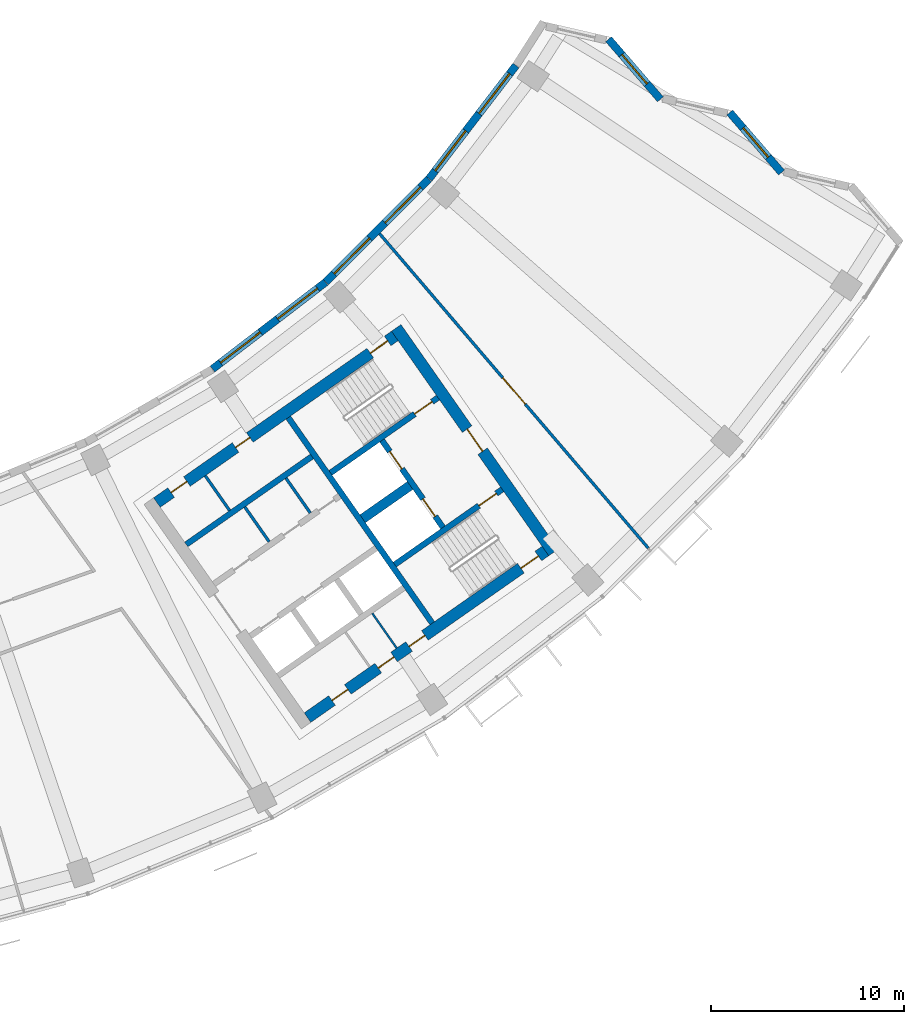
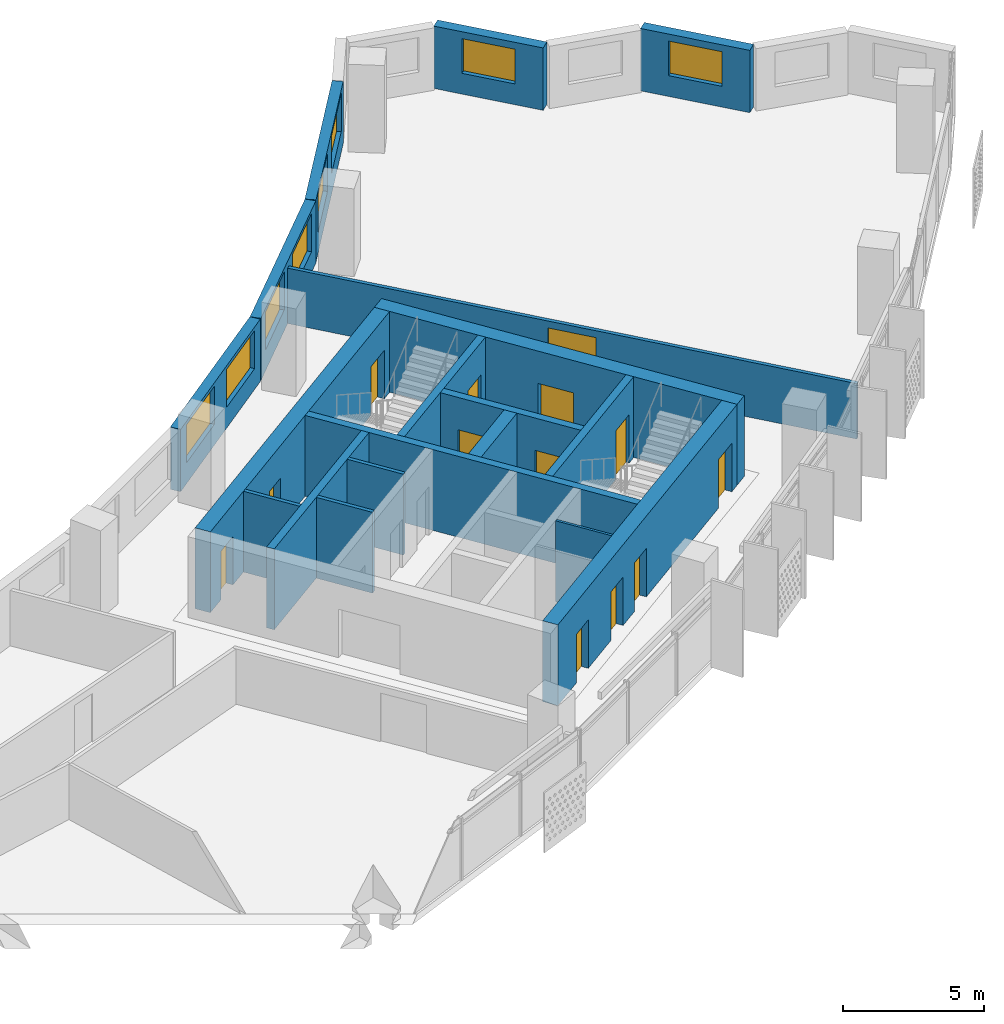
# One storey, part 7 of 27: 19 walls, 13 doors, 8 windows, 21 openings.
"""IFC4 building model written with IfcOpenShell, lengths in metres."""

from ifc_helpers import new_model, si_unit, direction, frame, frame_2d, origin, place, context, subcontext, project, spatial, rectangle, extrude, material, layer, layer_set, type_object, element, fill, save


model = new_model("IFC4")

# Units and contexts
model_context = context("Model", 3, precision=1e-05, world=origin(), true_north=direction((0.0, 1.0)))
body_context = subcontext(model_context, "Body", "Model", "MODEL_VIEW")
ifc_project = project(units=[si_unit("LENGTHUNIT", "METRE"), si_unit("AREAUNIT", "SQUARE_METRE"), si_unit("VOLUMEUNIT", "CUBIC_METRE"), si_unit("PLANEANGLEUNIT", "RADIAN"), si_unit("MASSUNIT", "GRAM", prefix="KILO")], contexts=[model_context])

# Site, building, storey
site_placement = place(None, origin())
site = spatial("IfcSite", under=ifc_project, at=site_placement, CompositionType="ELEMENT")
building_placement = place(site_placement, origin())
building = spatial("IfcBuilding", under=site, at=building_placement, Name="Qamariyya Broadcast Tower", CompositionType="ELEMENT")
storey_placement = place(building_placement, frame((0.0, 0.0, 191.10009765625)))
storey = spatial("IfcBuildingStorey", under=building, at=storey_placement, Name="L45", CompositionType="ELEMENT", Elevation=191.10009765625)

# Wall, opening, door
ifc_material_1 = material(Name="Concrete C60/75", Category="concrete")
ifc_layer_1 = layer(ifc_material_1, 0.60009765625)
ifc_layer_set_1 = layer_set([ifc_layer_1], Name="Core wall 600 mm Concrete C60/75")
wall_type_1 = type_object("IfcWallType", Name="Core wall 600 mm Concrete C60/75", PredefinedType="SHEAR", material=ifc_layer_set_1)
wall_1_placement = place(storey_placement, frame((49.4833984375, -57.031494140625, 0.0), z_axis=(0.0, 0.0, 1.0), x_axis=(-0.573560421458, 0.819163257805, 0.0)))
wall_1 = element("IfcWall", 1, at=wall_1_placement, inside=storey, type_object=wall_type_1, Name="k-E-L45-WH", PredefinedType="SHEAR", context=body_context, shape_type="SweptSolid", body=[
    extrude(rectangle(XDim=14.199951171875, YDim=0.60009765625, at=frame_2d((7.10009765625, 0.0))), origin(), (0.0, 0.0, 1.0), 3.5),
])
opening_1_placement = place(wall_1_placement, frame((6.39990234375, 0.0, 0.0)))
opening_1 = element("IfcOpeningElement", 2, at=opening_1_placement, cuts=wall_1, Name="Opening KD2-E1", PredefinedType="OPENING", context=body_context, shape_type="SweptSolid", body=[
    extrude(rectangle(XDim=1.39990234375, YDim=2.10009765625, at=frame_2d((0.699951171875, 1.050048828125))), frame((0.0, 0.31005859375, 0.0), z_axis=(0.0, -1.0, 0.0), x_axis=(1.0, 0.0, 0.0)), (0.0, 0.0, 1.0), 0.6201171875),
])
ifc_material_2 = material(Name="Steel fire-resisting door leaf", Category="steel")
door_type_1 = type_object("IfcDoorType", Name="Fire-fighting lobby door KD2", OperationType="DOUBLE_DOOR_SINGLE_SWING", PredefinedType="DOOR", material=ifc_material_2)
door_1_placement = place(opening_1_placement, origin())
door_1 = element("IfcDoor", 3, at=door_1_placement, inside=storey, type_object=door_type_1, Name="k-E-L45-WH-D14", OperationType="DOUBLE_DOOR_SINGLE_SWING", OverallHeight=2.10009765625, OverallWidth=1.39990234375, PredefinedType="DOOR", context=body_context, shape_type="SweptSolid", body=[
    extrude(rectangle(XDim=1.39990234375, YDim=2.10009765625, at=frame_2d((0.699951171875, 1.050048828125))), frame((0.0, 0.02490234375, 0.0), z_axis=(0.0, -1.0, 0.0), x_axis=(1.0, 0.0, 0.0)), (0.0, 0.0, 1.0), 0.050048828125),
])
fill(opening_1, door_1)

# Wall, openings, doors
wall_2_placement = place(storey_placement, frame((28.940673828125, -54.447021484375, 0.0), z_axis=(0.0, 0.0, 1.0), x_axis=(0.819153391756, 0.573574511963, 0.0)))
wall_2 = element("IfcWall", 4, at=wall_2_placement, inside=storey, type_object=wall_type_1, Name="k-E-L45-WI", PredefinedType="SHEAR", context=body_context, shape_type="SweptSolid", body=[
    extrude(rectangle(XDim=15.04541015625, YDim=0.60009765625, at=frame_2d((7.522705078125, 0.0))), origin(), (0.0, 0.0, 1.0), 3.5),
])
opening_2_placement = place(wall_2_placement, frame((0.89990234375, 0.0, 0.0)))
opening_2 = element("IfcOpeningElement", 5, at=opening_2_placement, cuts=wall_2, Name="Opening KD7-E1", PredefinedType="OPENING", context=body_context, shape_type="SweptSolid", body=[
    extrude(rectangle(XDim=1.0, YDim=2.10009765625, at=frame_2d((0.5, 1.050048828125))), frame((0.0, 0.31005859375, 0.0), z_axis=(0.0, -1.0, 0.0), x_axis=(1.0, 0.0, 0.0)), (0.0, 0.0, 1.0), 0.6201171875),
])
opening_3_placement = place(wall_2_placement, frame((4.97509765625, 0.0, 0.0)))
opening_3 = element("IfcOpeningElement", 6, at=opening_3_placement, cuts=wall_2, Name="Opening KD5-E1", PredefinedType="OPENING", context=body_context, shape_type="SweptSolid", body=[
    extrude(rectangle(XDim=0.89990234375, YDim=2.10009765625, at=frame_2d((0.449951171875, 1.050048828125))), frame((0.0, 0.31005859375, 0.0), z_axis=(0.0, -1.0, 0.0), x_axis=(1.0, 0.0, 0.0)), (0.0, 0.0, 1.0), 0.6201171875),
])
opening_4_placement = place(wall_2_placement, frame((13.495361328125, 0.0, 0.0)))
opening_4 = element("IfcOpeningElement", 7, at=opening_4_placement, cuts=wall_2, Name="Opening KD1-E1", PredefinedType="OPENING", context=body_context, shape_type="SweptSolid", body=[
    extrude(rectangle(XDim=1.10009765625, YDim=2.10009765625, at=frame_2d((0.550048828125, 1.050048828125))), frame((0.0, 0.31005859375, 0.0), z_axis=(0.0, -1.0, 0.0), x_axis=(1.0, 0.0, 0.0)), (0.0, 0.0, 1.0), 0.6201171875),
])
door_type_2 = type_object("IfcDoorType", Name="Accessible toilet door KD7", OperationType="SINGLE_SWING_LEFT", PredefinedType="DOOR", material=ifc_material_2)
door_2_placement = place(opening_2_placement, origin())
door_2 = element("IfcDoor", 8, at=door_2_placement, inside=storey, type_object=door_type_2, Name="k-E-L45-WI-D7", OperationType="SINGLE_SWING_LEFT", OverallHeight=2.10009765625, OverallWidth=1.0, PredefinedType="DOOR", context=body_context, shape_type="SweptSolid", body=[
    extrude(rectangle(XDim=1.0, YDim=2.10009765625, at=frame_2d((0.5, 1.050048828125))), frame((0.0, 0.02490234375, 0.0), z_axis=(0.0, -1.0, 0.0), x_axis=(1.0, 0.0, 0.0)), (0.0, 0.0, 1.0), 0.050048828125),
])
fill(opening_2, door_2)
door_type_3 = type_object("IfcDoorType", Name="Stair door KD1", OperationType="SINGLE_SWING_LEFT", PredefinedType="DOOR", material=ifc_material_2)
door_3_placement = place(opening_4_placement, origin())
door_3 = element("IfcDoor", 9, at=door_3_placement, inside=storey, type_object=door_type_3, Name="k-E-L45-WI-D15", OperationType="SINGLE_SWING_RIGHT", OverallHeight=2.10009765625, OverallWidth=1.10009765625, PredefinedType="DOOR", context=body_context, shape_type="SweptSolid", body=[
    extrude(rectangle(XDim=1.10009765625, YDim=2.10009765625, at=frame_2d((0.550048828125, 1.050048828125))), frame((0.0, 0.02490234375, 0.0), z_axis=(0.0, -1.0, 0.0), x_axis=(1.0, 0.0, 0.0)), (0.0, 0.0, 1.0), 0.050048828125),
])
fill(opening_4, door_3)
door_type_4 = type_object("IfcDoorType", Name="Toilet door KD5", OperationType="SINGLE_SWING_LEFT", PredefinedType="DOOR", material=ifc_material_2)
door_4_placement = place(opening_3_placement, origin())
door_4 = element("IfcDoor", 10, at=door_4_placement, inside=storey, type_object=door_type_4, Name="k-E-L45-WI-D8", OperationType="SINGLE_SWING_RIGHT", OverallHeight=2.10009765625, OverallWidth=0.89990234375, PredefinedType="DOOR", context=body_context, shape_type="SweptSolid", body=[
    extrude(rectangle(XDim=0.89990234375, YDim=2.10009765625, at=frame_2d((0.449951171875, 1.050048828125))), frame((0.0, 0.02490234375, 0.0), z_axis=(0.0, -1.0, 0.0), x_axis=(1.0, 0.0, 0.0)), (0.0, 0.0, 1.0), 0.050048828125),
])
fill(opening_3, door_4)

wall_3_placement = place(storey_placement, frame((36.7412109375, -65.58740234375, 0.0), z_axis=(0.0, 0.0, 1.0), x_axis=(0.819153391756, 0.573574511963, 0.0)))
wall_3 = element("IfcWall", 11, at=wall_3_placement, inside=storey, type_object=wall_type_1, Name="k-E-L45-WO", PredefinedType="SHEAR", context=body_context, shape_type="SweptSolid", body=[
    extrude(rectangle(XDim=15.04541015625, YDim=0.60009765625, at=frame_2d((7.522705078125, 0.0))), origin(), (0.0, 0.0, 1.0), 3.5),
])
opening_5_placement = place(wall_3_placement, frame((1.550048828125, 0.0, 0.0)))
opening_5 = element("IfcOpeningElement", 12, at=opening_5_placement, cuts=wall_3, Name="Opening KD4-E2", PredefinedType="OPENING", context=body_context, shape_type="SweptSolid", body=[
    extrude(rectangle(XDim=1.0, YDim=2.10009765625, at=frame_2d((0.5, 1.050048828125))), frame((0.0, 0.31005859375, 0.0), z_axis=(0.0, -1.0, 0.0), x_axis=(1.0, 0.0, 0.0)), (0.0, 0.0, 1.0), 0.6201171875),
])
opening_6_placement = place(wall_3_placement, frame((4.47509765625, 0.0, 0.0)))
opening_6 = element("IfcOpeningElement", 13, at=opening_6_placement, cuts=wall_3, Name="Opening KD4-E3", PredefinedType="OPENING", context=body_context, shape_type="SweptSolid", body=[
    extrude(rectangle(XDim=1.0, YDim=2.10009765625, at=frame_2d((0.5, 1.050048828125))), frame((0.0, 0.31005859375, 0.0), z_axis=(0.0, -1.0, 0.0), x_axis=(1.0, 0.0, 0.0)), (0.0, 0.0, 1.0), 0.6201171875),
])
opening_7_placement = place(wall_3_placement, frame((6.425048828125, 0.0, 0.0)))
opening_7 = element("IfcOpeningElement", 14, at=opening_7_placement, cuts=wall_3, Name="Opening KD4-E4", PredefinedType="OPENING", context=body_context, shape_type="SweptSolid", body=[
    extrude(rectangle(XDim=1.0, YDim=2.10009765625, at=frame_2d((0.5, 1.050048828125))), frame((0.0, 0.31005859375, 0.0), z_axis=(0.0, -1.0, 0.0), x_axis=(1.0, 0.0, 0.0)), (0.0, 0.0, 1.0), 0.6201171875),
])
opening_8_placement = place(wall_3_placement, frame((13.495361328125, 0.0, 0.0)))
opening_8 = element("IfcOpeningElement", 15, at=opening_8_placement, cuts=wall_3, Name="Opening KD1-E3", PredefinedType="OPENING", context=body_context, shape_type="SweptSolid", body=[
    extrude(rectangle(XDim=1.10009765625, YDim=2.10009765625, at=frame_2d((0.550048828125, 1.050048828125))), frame((0.0, 0.31005859375, 0.0), z_axis=(0.0, -1.0, 0.0), x_axis=(1.0, 0.0, 0.0)), (0.0, 0.0, 1.0), 0.6201171875),
])
door_type_5 = type_object("IfcDoorType", Name="Riser and plant door KD4", OperationType="SINGLE_SWING_LEFT", PredefinedType="DOOR", material=ifc_material_2)
door_5_placement = place(opening_5_placement, origin())
door_5 = element("IfcDoor", 16, at=door_5_placement, inside=storey, type_object=door_type_5, Name="k-E-L45-WO-D9", OperationType="SINGLE_SWING_LEFT", OverallHeight=2.10009765625, OverallWidth=1.0, PredefinedType="DOOR", context=body_context, shape_type="SweptSolid", body=[
    extrude(rectangle(XDim=1.0, YDim=2.10009765625, at=frame_2d((0.5, 1.050048828125))), frame((0.0, 0.02490234375, 0.0), z_axis=(0.0, -1.0, 0.0), x_axis=(1.0, 0.0, 0.0)), (0.0, 0.0, 1.0), 0.050048828125),
])
fill(opening_5, door_5)
door_6_placement = place(opening_6_placement, origin())
door_6 = element("IfcDoor", 17, at=door_6_placement, inside=storey, type_object=door_type_5, Name="k-E-L45-WO-D10", OperationType="SINGLE_SWING_RIGHT", OverallHeight=2.10009765625, OverallWidth=1.0, PredefinedType="DOOR", context=body_context, shape_type="SweptSolid", body=[
    extrude(rectangle(XDim=1.0, YDim=2.10009765625, at=frame_2d((0.5, 1.050048828125))), frame((0.0, 0.02490234375, 0.0), z_axis=(0.0, -1.0, 0.0), x_axis=(1.0, 0.0, 0.0)), (0.0, 0.0, 1.0), 0.050048828125),
])
fill(opening_6, door_6)
door_7_placement = place(opening_7_placement, origin())
door_7 = element("IfcDoor", 18, at=door_7_placement, inside=storey, type_object=door_type_5, Name="k-E-L45-WO-D11", OperationType="SINGLE_SWING_LEFT", OverallHeight=2.10009765625, OverallWidth=1.0, PredefinedType="DOOR", context=body_context, shape_type="SweptSolid", body=[
    extrude(rectangle(XDim=1.0, YDim=2.10009765625, at=frame_2d((0.5, 1.050048828125))), frame((0.0, 0.02490234375, 0.0), z_axis=(0.0, -1.0, 0.0), x_axis=(1.0, 0.0, 0.0)), (0.0, 0.0, 1.0), 0.050048828125),
])
fill(opening_7, door_7)
door_8_placement = place(opening_8_placement, origin())
door_8 = element("IfcDoor", 19, at=door_8_placement, inside=storey, type_object=door_type_3, Name="k-E-L45-WO-D17", OperationType="SINGLE_SWING_LEFT", OverallHeight=2.10009765625, OverallWidth=1.10009765625, PredefinedType="DOOR", context=body_context, shape_type="SweptSolid", body=[
    extrude(rectangle(XDim=1.10009765625, YDim=2.10009765625, at=frame_2d((0.550048828125, 1.050048828125))), frame((0.0, 0.02490234375, 0.0), z_axis=(0.0, -1.0, 0.0), x_axis=(1.0, 0.0, 0.0)), (0.0, 0.0, 1.0), 0.050048828125),
])
fill(opening_8, door_8)

# Wall, opening, door
ifc_material_3 = material(Name="Gypsum board partition")
ifc_layer_2 = layer(ifc_material_3, 0.14990234375)
ifc_layer_set_2 = layer_set([ifc_layer_2], Name="Corridor partition 150 EI 60")
wall_type_2 = type_object("IfcWallType", Name="Corridor partition 150 EI 60", PredefinedType="PARTITIONING", material=ifc_layer_set_2)
wall_4_placement = place(storey_placement, frame((40.478759765625, -40.52294921875, 0.0), z_axis=(0.0, 0.0, 1.0), x_axis=(0.649633284071, -0.760247720303, 0.0)))
wall_4 = element("IfcWall", 20, at=wall_4_placement, inside=storey, type_object=wall_type_2, Name="Partition L45-028", PredefinedType="PARTITIONING", context=body_context, shape_type="SweptSolid", body=[
    extrude(rectangle(XDim=21.420166015625, YDim=0.14990234375, at=frame_2d((10.7099609375, 0.0))), origin(), (0.0, 0.0, 1.0), 2.39990234375),
])
opening_9_placement = place(wall_4_placement, frame((9.81005859375, 0.0, 0.0)))
opening_9 = element("IfcOpeningElement", 21, at=opening_9_placement, cuts=wall_4, Name="Opening L45-D14", PredefinedType="OPENING", context=body_context, shape_type="SweptSolid", body=[
    extrude(rectangle(XDim=1.800048828125, YDim=2.10009765625, at=frame_2d((0.89990234375, 1.050048828125))), frame((0.0, 0.0849609375, 0.0), z_axis=(0.0, -1.0, 0.0), x_axis=(1.0, 0.0, 0.0)), (0.0, 0.0, 1.0), 0.169921875),
])
ifc_material_4 = material(Name="Timber fire door leaf", Category="wood")
door_type_6 = type_object("IfcDoorType", Name="Double fire door 1800 x 2100 FD60", OperationType="NOTDEFINED", PredefinedType="DOOR", material=ifc_material_4)
door_9_placement = place(opening_9_placement, origin())
door_9 = element("IfcDoor", 22, at=door_9_placement, inside=storey, type_object=door_type_6, Name="Door L45-D14", OperationType="DOUBLE_DOOR_SINGLE_SWING", OverallHeight=2.10009765625, OverallWidth=1.800048828125, PredefinedType="DOOR", context=body_context, shape_type="SweptSolid", body=[
    extrude(rectangle(XDim=1.800048828125, YDim=2.10009765625, at=frame_2d((0.89990234375, 1.050048828125))), frame((0.0, 0.02490234375, 0.0), z_axis=(0.0, -1.0, 0.0), x_axis=(1.0, 0.0, 0.0)), (0.0, 0.0, 1.0), 0.050048828125),
])
fill(opening_9, door_9)

# Walls
ifc_layer_3 = layer(ifc_material_1, 0.5)
ifc_layer_set_3 = layer_set([ifc_layer_3], Name="Fire-fighting lobby divider wall 500 mm Concrete C60/75")
wall_type_3 = type_object("IfcWallType", Name="Fire-fighting lobby divider wall 500 mm Concrete C60/75", PredefinedType="SOLIDWALL", material=ifc_layer_set_3)
wall_5_placement = place(storey_placement, frame((39.59912109375, -55.28515625, 0.0), z_axis=(0.0, 0.0, 1.0), x_axis=(0.819136323161, 0.573598887793, 0.0)))
element("IfcWall", 23, at=wall_5_placement, inside=storey, type_object=wall_type_3, Name="k-E-L45-FD", PredefinedType="SOLIDWALL", context=body_context, shape_type="SweptSolid", body=[
    extrude(rectangle(XDim=2.999755859375, YDim=0.5, at=frame_2d((1.5, 0.0))), origin(), (0.0, 0.0, 1.0), 3.5),
])
ifc_material_5 = material(Name="Gypsum board partition on steel studs", Category="steel")
ifc_layer_4 = layer(ifc_material_5, 0.14990234375)
ifc_layer_set_4 = layer_set([ifc_layer_4], Name="Gypsum board partition 150 mm")
wall_type_4 = type_object("IfcWallType", Name="Gypsum board partition 150 mm", PredefinedType="PARTITIONING", material=ifc_layer_set_4)
for number, where, z_axis, x_axis, name in (
    (24, (34.757568359375, -56.477783203125, 0.0), (0.0, 0.0, 1.0), (-0.573633636671, 0.819111989218, 0.0), "k-E-L45-NC360"),
    (25, (36.88720703125, -54.986572265625, 0.0), (0.0, 0.0, 1.0), (-0.573507030513, 0.819200638399, 0.0), "k-E-L45-NC620"),
    (26, (32.709228515625, -54.860107421875, 0.0), (0.0, 0.0, 1.0), (-0.573633636671, 0.819111989218, 0.0), "k-E-L45-NP285"),
):
    element("IfcWall", number, at=place(storey_placement, frame(where, z_axis=z_axis, x_axis=x_axis)), inside=storey, type_object=wall_type_4, Name=name, PredefinedType="PARTITIONING", context=body_context, shape_type="SweptSolid", body=[
        extrude(rectangle(XDim=2.199951171875, YDim=0.14990234375, at=frame_2d((1.10009765625, 0.0))), origin(), (0.0, 0.0, 1.0), 3.5),
    ])
ifc_layer_5 = layer(ifc_material_1, 0.300048828125)
ifc_layer_set_5 = layer_set([ifc_layer_5], Name="Lift shaft wall 300 mm Concrete C60/75")
wall_type_5 = type_object("IfcWallType", Name="Lift shaft wall 300 mm Concrete C60/75", PredefinedType="SOLIDWALL", material=ifc_layer_set_5)
wall_6_placement = place(storey_placement, frame((43.204345703125, -60.69580078125, 0.0), z_axis=(0.0, 0.0, 1.0), x_axis=(-0.573571992966, 0.819155155563, 0.0)))
element("IfcWall", 27, at=wall_6_placement, inside=storey, type_object=wall_type_5, Name="k-E-L45-WL", PredefinedType="SOLIDWALL", context=body_context, shape_type="SweptSolid", body=[
    extrude(rectangle(XDim=13.000244140625, YDim=0.300048828125, at=frame_2d((6.5, 0.0))), origin(), (0.0, 0.0, 1.0), 3.5),
])
wall_7_placement = place(storey_placement, frame((30.460693359375, -56.61767578125, 0.0), z_axis=(0.0, 0.0, 1.0), x_axis=(0.819142461705, 0.573590121456, 0.0)))
element("IfcWall", 28, at=wall_7_placement, inside=storey, type_object=wall_type_5, Name="k-E-L45-NB0", PredefinedType="SOLIDWALL", context=body_context, shape_type="SweptSolid", body=[
    extrude(rectangle(XDim=7.949951171875, YDim=0.300048828125, at=frame_2d((3.97509765625, 0.0))), origin(), (0.0, 0.0, 1.0), 3.5),
])

# Wall, opening, door
wall_8_placement = place(storey_placement, frame((37.935546875, -52.90966796875, 0.0), z_axis=(0.0, 0.0, 1.0), x_axis=(0.819147518138, 0.57358290031, 0.0)))
wall_8 = element("IfcWall", 29, at=wall_8_placement, inside=storey, type_object=wall_type_5, Name="k-E-L45-NW", PredefinedType="SOLIDWALL", context=body_context, shape_type="SweptSolid", body=[
    extrude(rectangle(XDim=6.79541015625, YDim=0.300048828125, at=frame_2d((3.397705078125, 0.0))), origin(), (0.0, 0.0, 1.0), 3.5),
])
opening_10_placement = place(wall_8_placement, frame((5.3203125, 0.0, 0.0)))
opening_10 = element("IfcOpeningElement", 30, at=opening_10_placement, cuts=wall_8, Name="Opening KD1-E2", PredefinedType="OPENING", context=body_context, shape_type="SweptSolid", body=[
    extrude(rectangle(XDim=1.10009765625, YDim=2.10009765625, at=frame_2d((0.550048828125, 1.050048828125))), frame((0.0, 0.159912109375, 0.0), z_axis=(0.0, -1.0, 0.0), x_axis=(1.0, 0.0, 0.0)), (0.0, 0.0, 1.0), 0.320068359375),
])
door_10_placement = place(opening_10_placement, origin())
door_10 = element("IfcDoor", 31, at=door_10_placement, inside=storey, type_object=door_type_3, Name="k-E-L45-NW-D16", OperationType="SINGLE_SWING_RIGHT", OverallHeight=2.10009765625, OverallWidth=1.10009765625, PredefinedType="DOOR", context=body_context, shape_type="SweptSolid", body=[
    extrude(rectangle(XDim=1.10009765625, YDim=2.10009765625, at=frame_2d((0.550048828125, 1.050048828125))), frame((0.0, 0.02490234375, 0.0), z_axis=(0.0, -1.0, 0.0), x_axis=(1.0, 0.0, 0.0)), (0.0, 0.0, 1.0), 0.050048828125),
])
fill(opening_10, door_10)

wall_9_placement = place(storey_placement, frame((41.262451171875, -57.66064453125, 0.0), z_axis=(0.0, 0.0, 1.0), x_axis=(0.819164398642, 0.573558792102, 0.0)))
wall_9 = element("IfcWall", 32, at=wall_9_placement, inside=storey, type_object=wall_type_5, Name="k-E-L45-SW", PredefinedType="SOLIDWALL", context=body_context, shape_type="SweptSolid", body=[
    extrude(rectangle(XDim=6.795166015625, YDim=0.300048828125, at=frame_2d((3.3974609375, 0.0))), origin(), (0.0, 0.0, 1.0), 3.5),
])
opening_11_placement = place(wall_9_placement, frame((5.3203125, 0.0, 0.0)))
opening_11 = element("IfcOpeningElement", 33, at=opening_11_placement, cuts=wall_9, Name="Opening KD1-E4", PredefinedType="OPENING", context=body_context, shape_type="SweptSolid", body=[
    extrude(rectangle(XDim=1.10009765625, YDim=2.10009765625, at=frame_2d((0.550048828125, 1.050048828125))), frame((0.0, 0.159912109375, 0.0), z_axis=(0.0, -1.0, 0.0), x_axis=(1.0, 0.0, 0.0)), (0.0, 0.0, 1.0), 0.320068359375),
])
door_11_placement = place(opening_11_placement, origin())
door_11 = element("IfcDoor", 34, at=door_11_placement, inside=storey, type_object=door_type_3, Name="k-E-L45-SW-D18", OperationType="SINGLE_SWING_RIGHT", OverallHeight=2.10009765625, OverallWidth=1.10009765625, PredefinedType="DOOR", context=body_context, shape_type="SweptSolid", body=[
    extrude(rectangle(XDim=1.10009765625, YDim=2.10009765625, at=frame_2d((0.550048828125, 1.050048828125))), frame((0.0, 0.02490234375, 0.0), z_axis=(0.0, -1.0, 0.0), x_axis=(1.0, 0.0, 0.0)), (0.0, 0.0, 1.0), 0.050048828125),
])
fill(opening_11, door_11)

# Wall, openings, doors
wall_10_placement = place(storey_placement, frame((43.756591796875, -55.731201171875, 0.0), z_axis=(0.0, 0.0, 1.0), x_axis=(-0.573536818435, 0.819179783625, 0.0)))
wall_10 = element("IfcWall", 35, at=wall_10_placement, inside=storey, type_object=wall_type_5, Name="k-E-L45-FF", PredefinedType="SOLIDWALL", context=body_context, shape_type="SweptSolid", body=[
    extrude(rectangle(XDim=5.500244140625, YDim=0.300048828125, at=frame_2d((2.75, 0.0))), origin(), (0.0, 0.0, 1.0), 3.5),
])
opening_12_placement = place(wall_10_placement, frame((0.699951171875, 0.0, 0.0)))
opening_12 = element("IfcOpeningElement", 36, at=opening_12_placement, cuts=wall_10, Name="Opening LD", PredefinedType="OPENING", context=body_context, shape_type="SweptSolid", body=[
    extrude(rectangle(XDim=1.10009765625, YDim=2.10009765625, at=frame_2d((0.550048828125, 1.050048828125))), frame((0.0, 0.159912109375, 0.0), z_axis=(0.0, -1.0, 0.0), x_axis=(1.0, 0.0, 0.0)), (0.0, 0.0, 1.0), 0.320068359375),
])
opening_13_placement = place(wall_10_placement, frame((3.699951171875, 0.0, 0.0)))
opening_13 = element("IfcOpeningElement", 37, at=opening_13_placement, cuts=wall_10, Name="Opening LD", PredefinedType="OPENING", context=body_context, shape_type="SweptSolid", body=[
    extrude(rectangle(XDim=1.10009765625, YDim=2.10009765625, at=frame_2d((0.550048828125, 1.050048828125))), frame((0.0, 0.159912109375, 0.0), z_axis=(0.0, -1.0, 0.0), x_axis=(1.0, 0.0, 0.0)), (0.0, 0.0, 1.0), 0.320068359375),
])
door_type_7 = type_object("IfcDoorType", Name="Lift landing door LD", OperationType="DOUBLE_DOOR_SLIDING", PredefinedType="DOOR", material=ifc_material_2)
door_12_placement = place(opening_12_placement, origin())
door_12 = element("IfcDoor", 38, at=door_12_placement, inside=storey, type_object=door_type_7, Name="k-E-L45-FF-D12", OperationType="DOUBLE_DOOR_SLIDING", OverallHeight=2.10009765625, OverallWidth=1.10009765625, PredefinedType="DOOR", context=body_context, shape_type="SweptSolid", body=[
    extrude(rectangle(XDim=1.10009765625, YDim=2.10009765625, at=frame_2d((0.550048828125, 1.050048828125))), frame((0.0, 0.02490234375, 0.0), z_axis=(0.0, -1.0, 0.0), x_axis=(1.0, 0.0, 0.0)), (0.0, 0.0, 1.0), 0.050048828125),
])
fill(opening_12, door_12)
door_13_placement = place(opening_13_placement, origin())
door_13 = element("IfcDoor", 39, at=door_13_placement, inside=storey, type_object=door_type_7, Name="k-E-L45-FF-D13", OperationType="DOUBLE_DOOR_SLIDING", OverallHeight=2.10009765625, OverallWidth=1.10009765625, PredefinedType="DOOR", context=body_context, shape_type="SweptSolid", body=[
    extrude(rectangle(XDim=1.10009765625, YDim=2.10009765625, at=frame_2d((0.550048828125, 1.050048828125))), frame((0.0, 0.02490234375, 0.0), z_axis=(0.0, -1.0, 0.0), x_axis=(1.0, 0.0, 0.0)), (0.0, 0.0, 1.0), 0.050048828125),
])
fill(opening_13, door_13)

# Wall
ifc_material_6 = material(Name="Fire-rated gypsum shaft liner on steel studs", Category="steel")
ifc_layer_6 = layer(ifc_material_6, 0.10009765625)
ifc_layer_set_6 = layer_set([ifc_layer_6], Name="Riser wall 100 mm")
wall_type_6 = type_object("IfcWallType", Name="Riser wall 100 mm", PredefinedType="PLUMBINGWALL", material=ifc_layer_set_6)
wall_11_placement = place(storey_placement, frame((40.099365234375, -60.18408203125, 0.0), z_axis=(0.0, 0.0, 1.0), x_axis=(0.573633636671, -0.819111989218, 0.0)))
element("IfcWall", 40, at=wall_11_placement, inside=storey, type_object=wall_type_6, Name="k-E-L45-SP585", PredefinedType="PLUMBINGWALL", context=body_context, shape_type="SweptSolid", body=[
    extrude(rectangle(XDim=2.199951171875, YDim=0.10009765625, at=frame_2d((1.10009765625, 0.0))), origin(), (0.0, 0.0, 1.0), 3.5),
])

# Wall, opening, window
ifc_material_7 = material(Name="Terracotta", Category="masonry")
ifc_layer_7 = layer(ifc_material_7, 0.39990234375)
ifc_layer_set_7 = layer_set([ifc_layer_7], Name="Terracotta clad wall 400")
wall_type_7 = type_object("IfcWallType", Name="Terracotta clad wall 400", PredefinedType="SOLIDWALL", material=ifc_layer_set_7)
wall_12_placement = place(storey_placement, frame((61.296875, -37.353271484375, 0.0), z_axis=(0.0, 0.0, 1.0), x_axis=(-0.65300075107, 0.757357259886, 0.0)))
wall_12 = element("IfcWall", 41, at=wall_12_placement, inside=storey, type_object=wall_type_7, Name="e-wl-L45-capE2", PredefinedType="SOLIDWALL", context=body_context, shape_type="SweptSolid", body=[
    extrude(rectangle(XDim=4.108154296875, YDim=0.39990234375, at=frame_2d((2.05419921875, 0.0))), origin(), (0.0, 0.0, 1.0), 2.699951171875),
])
opening_14_placement = place(wall_12_placement, frame((1.053955078125, 0.0, 0.89990234375)))
opening_14 = element("IfcOpeningElement", 42, at=opening_14_placement, cuts=wall_12, Name="Opening W4", PredefinedType="OPENING", context=body_context, shape_type="SweptSolid", body=[
    extrude(rectangle(XDim=2.0, YDim=1.5, at=frame_2d((1.0, 0.75))), frame((0.0, 0.2099609375, 0.0), z_axis=(0.0, -1.0, 0.0), x_axis=(1.0, 0.0, 0.0)), (0.0, 0.0, 1.0), 0.419921875),
])
ifc_material_8 = material(Name="Clear low-e double glazed unit in aluminium frame", Category="aluminium")
window_type_1 = type_object("IfcWindowType", Name="Horn bay window 2000 x 1500", PartitioningType="SINGLE_PANEL", PredefinedType="WINDOW", material=ifc_material_8)
window_1_placement = place(opening_14_placement, origin())
window_1 = element("IfcWindow", 43, at=window_1_placement, inside=storey, type_object=window_type_1, Name="e-w-L45-capE2", OverallHeight=1.5, OverallWidth=2.0, PartitioningType="SINGLE_PANEL", PredefinedType="WINDOW", context=body_context, shape_type="SweptSolid", body=[
    extrude(rectangle(XDim=2.0, YDim=1.5, at=frame_2d((1.0, 0.75))), frame((0.0, 0.030029296875, 0.0), z_axis=(0.0, -1.0, 0.0), x_axis=(1.0, 0.0, 0.0)), (0.0, 0.0, 1.0), 0.06005859375),
])
fill(opening_14, window_1)

wall_13_placement = place(storey_placement, frame((55.021484375, -33.558837890625, 0.0), z_axis=(0.0, 0.0, 1.0), x_axis=(-0.653048914216, 0.757315730486, 0.0)))
wall_13 = element("IfcWall", 44, at=wall_13_placement, inside=storey, type_object=wall_type_7, Name="e-wl-L45-capE4", PredefinedType="SOLIDWALL", context=body_context, shape_type="SweptSolid", body=[
    extrude(rectangle(XDim=4.109375, YDim=0.39990234375, at=frame_2d((2.0546875, 0.0))), origin(), (0.0, 0.0, 1.0), 2.699951171875),
])
opening_15_placement = place(wall_13_placement, frame((1.0546875, 0.0, 0.89990234375)))
opening_15 = element("IfcOpeningElement", 45, at=opening_15_placement, cuts=wall_13, Name="Opening W4", PredefinedType="OPENING", context=body_context, shape_type="SweptSolid", body=[
    extrude(rectangle(XDim=2.0, YDim=1.5, at=frame_2d((1.0, 0.75))), frame((0.0, 0.2099609375, 0.0), z_axis=(0.0, -1.0, 0.0), x_axis=(1.0, 0.0, 0.0)), (0.0, 0.0, 1.0), 0.419921875),
])
window_2_placement = place(opening_15_placement, origin())
window_2 = element("IfcWindow", 46, at=window_2_placement, inside=storey, type_object=window_type_1, Name="e-w-L45-capE4", OverallHeight=1.5, OverallWidth=2.0, PartitioningType="SINGLE_PANEL", PredefinedType="WINDOW", context=body_context, shape_type="SweptSolid", body=[
    extrude(rectangle(XDim=2.0, YDim=1.5, at=frame_2d((1.0, 0.75))), frame((0.0, 0.030029296875, 0.0), z_axis=(0.0, -1.0, 0.0), x_axis=(1.0, 0.0, 0.0)), (0.0, 0.0, 1.0), 0.06005859375),
])
fill(opening_15, window_2)

# Wall, openings, windows
wall_14_placement = place(storey_placement, frame((37.674560546875, -43.036376953125, 0.0), z_axis=(0.0, 0.0, 1.0), x_axis=(-0.79334647843, -0.608770371457, 0.0)))
wall_14 = element("IfcWall", 47, at=wall_14_placement, inside=storey, type_object=wall_type_7, Name="e-wl-L45-in120", PredefinedType="SOLIDWALL", context=body_context, shape_type="SweptSolid", body=[
    extrude(rectangle(XDim=7.380615234375, YDim=0.39990234375, at=frame_2d((3.6904296875, 0.0))), origin(), (0.0, 0.0, 1.0), 2.699951171875),
])
opening_16_placement = place(wall_14_placement, frame((4.25439453125, 0.0, 0.89990234375)))
opening_16 = element("IfcOpeningElement", 48, at=opening_16_placement, cuts=wall_14, Name="Opening W1", PredefinedType="OPENING", context=body_context, shape_type="SweptSolid", body=[
    extrude(rectangle(XDim=2.60009765625, YDim=1.64990234375, at=frame_2d((1.300048828125, 0.824951171875))), frame((0.0, 0.2099609375, 0.0), z_axis=(0.0, -1.0, 0.0), x_axis=(1.0, 0.0, 0.0)), (0.0, 0.0, 1.0), 0.419921875),
])
opening_17_placement = place(wall_14_placement, frame((0.5263671875, 0.0, 0.89990234375)))
opening_17 = element("IfcOpeningElement", 49, at=opening_17_placement, cuts=wall_14, Name="Opening W1", PredefinedType="OPENING", context=body_context, shape_type="SweptSolid", body=[
    extrude(rectangle(XDim=2.60009765625, YDim=1.64990234375, at=frame_2d((1.300048828125, 0.824951171875))), frame((0.0, 0.2099609375, 0.0), z_axis=(0.0, -1.0, 0.0), x_axis=(1.0, 0.0, 0.0)), (0.0, 0.0, 1.0), 0.419921875),
])
window_type_2 = type_object("IfcWindowType", Name="Ribbon window 2600 x 1650", PartitioningType="SINGLE_PANEL", PredefinedType="WINDOW", material=ifc_material_8)
window_3_placement = place(opening_16_placement, origin())
window_3 = element("IfcWindow", 50, at=window_3_placement, inside=storey, type_object=window_type_2, Name="e-w-L45-in12-0", OverallHeight=1.64990234375, OverallWidth=2.60009765625, PartitioningType="SINGLE_PANEL", PredefinedType="WINDOW", context=body_context, shape_type="SweptSolid", body=[
    extrude(rectangle(XDim=2.60009765625, YDim=1.64990234375, at=frame_2d((1.300048828125, 0.824951171875))), frame((0.0, 0.030029296875, 0.0), z_axis=(0.0, -1.0, 0.0), x_axis=(1.0, 0.0, 0.0)), (0.0, 0.0, 1.0), 0.06005859375),
])
fill(opening_16, window_3)
window_4_placement = place(opening_17_placement, origin())
window_4 = element("IfcWindow", 51, at=window_4_placement, inside=storey, type_object=window_type_2, Name="e-w-L45-in12-1", OverallHeight=1.64990234375, OverallWidth=2.60009765625, PartitioningType="SINGLE_PANEL", PredefinedType="WINDOW", context=body_context, shape_type="SweptSolid", body=[
    extrude(rectangle(XDim=2.60009765625, YDim=1.64990234375, at=frame_2d((1.300048828125, 0.824951171875))), frame((0.0, 0.030029296875, 0.0), z_axis=(0.0, -1.0, 0.0), x_axis=(1.0, 0.0, 0.0)), (0.0, 0.0, 1.0), 0.06005859375),
])
fill(opening_17, window_4)

wall_15_placement = place(storey_placement, frame((43.023193359375, -37.697265625, 0.0), z_axis=(0.0, 0.0, 1.0), x_axis=(-0.707106781187, -0.707106781187, 0.0)))
wall_15 = element("IfcWall", 52, at=wall_15_placement, inside=storey, type_object=wall_type_7, Name="e-wl-L45-in130", PredefinedType="SOLIDWALL", context=body_context, shape_type="SweptSolid", body=[
    extrude(rectangle(XDim=7.531982421875, YDim=0.39990234375, at=frame_2d((3.76611328125, 0.0))), origin(), (0.0, 0.0, 1.0), 2.699951171875),
])
opening_18_placement = place(wall_15_placement, frame((4.330078125, 0.0, 0.89990234375)))
opening_18 = element("IfcOpeningElement", 53, at=opening_18_placement, cuts=wall_15, Name="Opening W1", PredefinedType="OPENING", context=body_context, shape_type="SweptSolid", body=[
    extrude(rectangle(XDim=2.60009765625, YDim=1.64990234375, at=frame_2d((1.300048828125, 0.824951171875))), frame((0.0, 0.2099609375, 0.0), z_axis=(0.0, -1.0, 0.0), x_axis=(1.0, 0.0, 0.0)), (0.0, 0.0, 1.0), 0.419921875),
])
opening_19_placement = place(wall_15_placement, frame((0.60205078125, 0.0, 0.89990234375)))
opening_19 = element("IfcOpeningElement", 54, at=opening_19_placement, cuts=wall_15, Name="Opening W1", PredefinedType="OPENING", context=body_context, shape_type="SweptSolid", body=[
    extrude(rectangle(XDim=2.60009765625, YDim=1.64990234375, at=frame_2d((1.300048828125, 0.824951171875))), frame((0.0, 0.2099609375, 0.0), z_axis=(0.0, -1.0, 0.0), x_axis=(1.0, 0.0, 0.0)), (0.0, 0.0, 1.0), 0.419921875),
])
window_5_placement = place(opening_18_placement, origin())
window_5 = element("IfcWindow", 55, at=window_5_placement, inside=storey, type_object=window_type_2, Name="e-w-L45-in13-0", OverallHeight=1.64990234375, OverallWidth=2.60009765625, PartitioningType="SINGLE_PANEL", PredefinedType="WINDOW", context=body_context, shape_type="SweptSolid", body=[
    extrude(rectangle(XDim=2.60009765625, YDim=1.64990234375, at=frame_2d((1.300048828125, 0.824951171875))), frame((0.0, 0.030029296875, 0.0), z_axis=(0.0, -1.0, 0.0), x_axis=(1.0, 0.0, 0.0)), (0.0, 0.0, 1.0), 0.06005859375),
])
fill(opening_18, window_5)
window_6_placement = place(opening_19_placement, origin())
window_6 = element("IfcWindow", 56, at=window_6_placement, inside=storey, type_object=window_type_2, Name="e-w-L45-in13-1", OverallHeight=1.64990234375, OverallWidth=2.60009765625, PartitioningType="SINGLE_PANEL", PredefinedType="WINDOW", context=body_context, shape_type="SweptSolid", body=[
    extrude(rectangle(XDim=2.60009765625, YDim=1.64990234375, at=frame_2d((1.300048828125, 0.824951171875))), frame((0.0, 0.030029296875, 0.0), z_axis=(0.0, -1.0, 0.0), x_axis=(1.0, 0.0, 0.0)), (0.0, 0.0, 1.0), 0.06005859375),
])
fill(opening_19, window_6)

wall_16_placement = place(storey_placement, frame((47.5380859375, -31.807861328125, 0.0), z_axis=(0.0, 0.0, 1.0), x_axis=(-0.608764181913, -0.793351227906, 0.0)))
wall_16 = element("IfcWall", 57, at=wall_16_placement, inside=storey, type_object=wall_type_7, Name="e-wl-L45-in140", PredefinedType="SOLIDWALL", context=body_context, shape_type="SweptSolid", body=[
    extrude(rectangle(XDim=7.394775390625, YDim=0.39990234375, at=frame_2d((3.697265625, 0.0))), origin(), (0.0, 0.0, 1.0), 2.699951171875),
])
opening_20_placement = place(wall_16_placement, frame((4.268310546875, 0.0, 0.89990234375)))
opening_20 = element("IfcOpeningElement", 58, at=opening_20_placement, cuts=wall_16, Name="Opening W1", PredefinedType="OPENING", context=body_context, shape_type="SweptSolid", body=[
    extrude(rectangle(XDim=2.60009765625, YDim=1.64990234375, at=frame_2d((1.300048828125, 0.824951171875))), frame((0.0, 0.2099609375, 0.0), z_axis=(0.0, -1.0, 0.0), x_axis=(1.0, 0.0, 0.0)), (0.0, 0.0, 1.0), 0.419921875),
])
opening_21_placement = place(wall_16_placement, frame((0.540283203125, 0.0, 0.89990234375)))
opening_21 = element("IfcOpeningElement", 59, at=opening_21_placement, cuts=wall_16, Name="Opening W1", PredefinedType="OPENING", context=body_context, shape_type="SweptSolid", body=[
    extrude(rectangle(XDim=2.60009765625, YDim=1.64990234375, at=frame_2d((1.300048828125, 0.824951171875))), frame((0.0, 0.2099609375, 0.0), z_axis=(0.0, -1.0, 0.0), x_axis=(1.0, 0.0, 0.0)), (0.0, 0.0, 1.0), 0.419921875),
])
window_7_placement = place(opening_20_placement, origin())
window_7 = element("IfcWindow", 60, at=window_7_placement, inside=storey, type_object=window_type_2, Name="e-w-L45-in14-0", OverallHeight=1.64990234375, OverallWidth=2.60009765625, PartitioningType="SINGLE_PANEL", PredefinedType="WINDOW", context=body_context, shape_type="SweptSolid", body=[
    extrude(rectangle(XDim=2.60009765625, YDim=1.64990234375, at=frame_2d((1.300048828125, 0.824951171875))), frame((0.0, 0.030029296875, 0.0), z_axis=(0.0, -1.0, 0.0), x_axis=(1.0, 0.0, 0.0)), (0.0, 0.0, 1.0), 0.06005859375),
])
fill(opening_20, window_7)
window_8_placement = place(opening_21_placement, origin())
window_8 = element("IfcWindow", 61, at=window_8_placement, inside=storey, type_object=window_type_2, Name="e-w-L45-in14-1", OverallHeight=1.64990234375, OverallWidth=2.60009765625, PartitioningType="SINGLE_PANEL", PredefinedType="WINDOW", context=body_context, shape_type="SweptSolid", body=[
    extrude(rectangle(XDim=2.60009765625, YDim=1.64990234375, at=frame_2d((1.300048828125, 0.824951171875))), frame((0.0, 0.030029296875, 0.0), z_axis=(0.0, -1.0, 0.0), x_axis=(1.0, 0.0, 0.0)), (0.0, 0.0, 1.0), 0.06005859375),
])
fill(opening_21, window_8)

save(model, "model.ifc")
